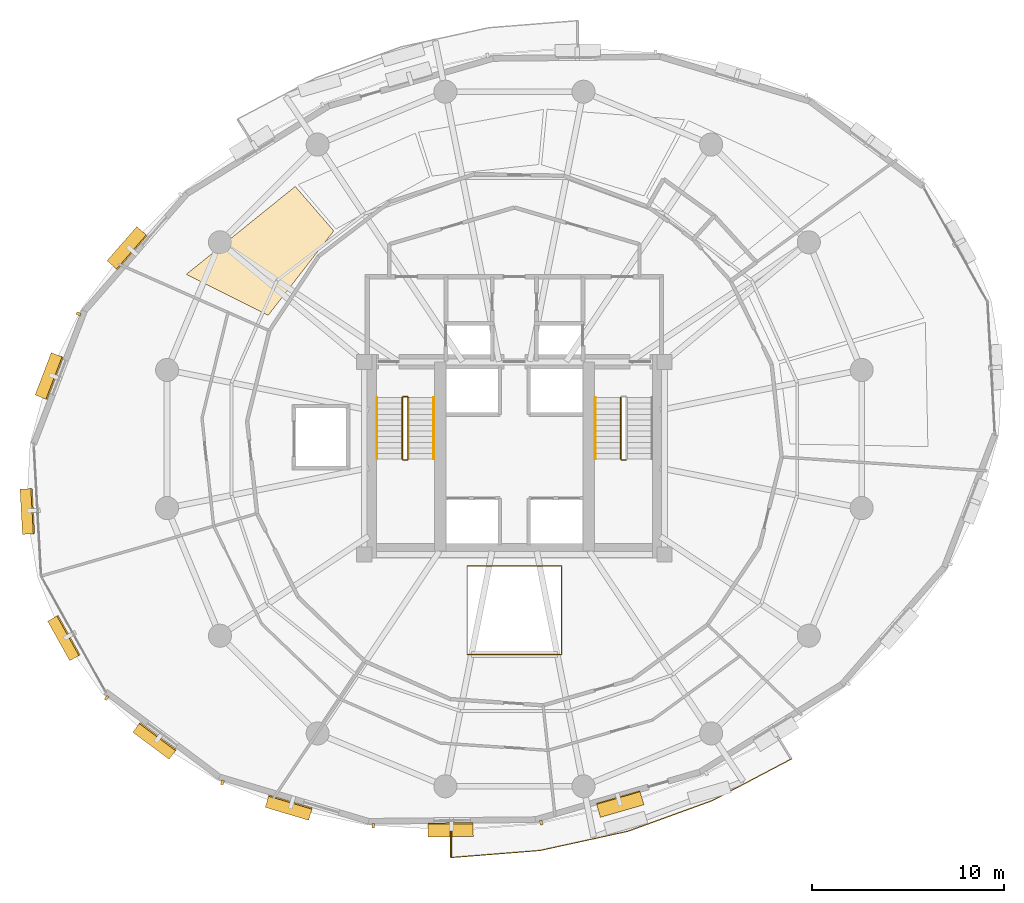
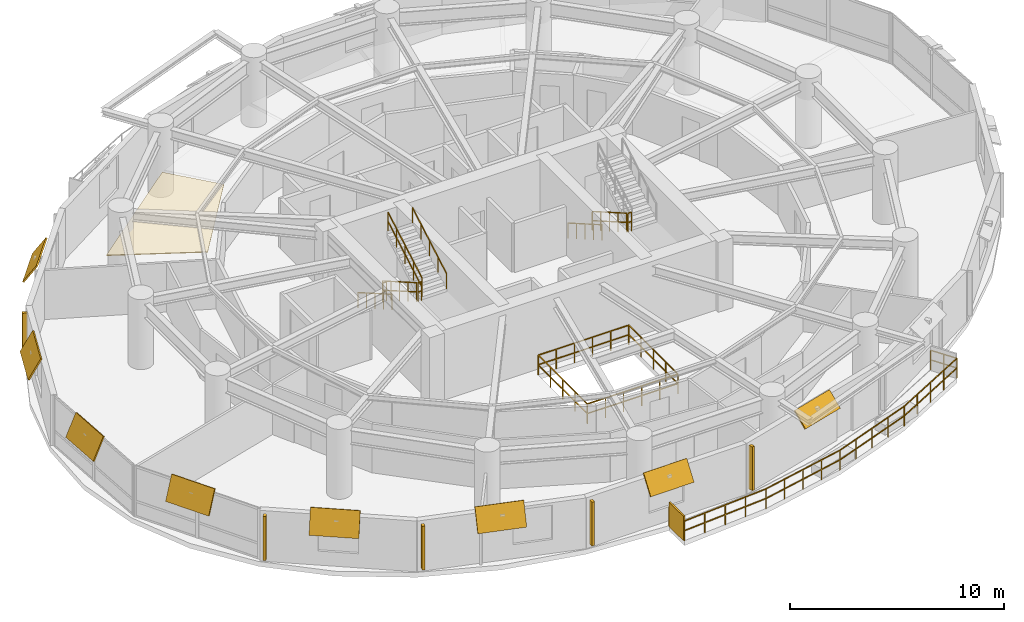
# One storey, part 13 of 15: 14 shading devices, 11 railings, 1 covering.
"""IFC4 building model written with IfcOpenShell, lengths in metres."""

from ifc_helpers import new_model, si_unit, direction, frame, origin, origin_2d, place, context, subcontext, project, spatial, polyline, rectangle, outline, extrude, material, layer, layer_set, type_object, element, save


model = new_model("IFC4")

# Units and contexts
model_context = context("Model", 3, precision=1e-05, world=origin(), true_north=direction((0.0, 1.0)))
body_context = subcontext(model_context, "Body", "Model", "MODEL_VIEW")
ifc_project = project(units=[si_unit("LENGTHUNIT", "METRE"), si_unit("AREAUNIT", "SQUARE_METRE"), si_unit("VOLUMEUNIT", "CUBIC_METRE"), si_unit("PLANEANGLEUNIT", "RADIAN"), si_unit("MASSUNIT", "GRAM", prefix="KILO"), si_unit("THERMODYNAMICTEMPERATUREUNIT", "KELVIN"), si_unit("POWERUNIT", "WATT")], contexts=[model_context])

# Site, building, storey
site_placement = place(None, origin())
site = spatial("IfcSite", under=ifc_project, at=site_placement, CompositionType="ELEMENT")
building_placement = place(site_placement, origin())
building = spatial("IfcBuilding", under=site, at=building_placement, Name="Ocrelia Relay Tower", CompositionType="ELEMENT")
storey_placement = place(building_placement, frame((0.0, 0.0, 101.800048828125)))
storey = spatial("IfcBuildingStorey", under=building, at=storey_placement, Name="L23", CompositionType="ELEMENT", Elevation=101.800048828125)

# Covering
ifc_material_1 = material(Name="Cleanroom metal-pan acoustic ceiling", Category="aluminium")
ifc_layer_1 = layer(ifc_material_1, 0.0400390625, Name="Cleanroom metal-pan acoustic ceiling")
ifc_layer_set_1 = layer_set([ifc_layer_1], Name="Cleanroom metal-pan acoustic ceiling")
covering_type = type_object("IfcCoveringType", Name="COV-CEIL-CLEAN", PredefinedType="CEILING", material=ifc_layer_set_1)
covering_placement = place(storey_placement, frame((0.0, 0.0, 2.719970703125)))
element("IfcCovering", 1, at=covering_placement, inside=storey, type_object=covering_type, Name="L23 Optical Switching Hall A Suspended Ceiling 5", PredefinedType="CEILING", context=body_context, shape_type="SweptSolid", body=[
    extrude(outline(polyline([(24.61474609375, 36.815673828125), (22.611328125, 39.12451171875), (16.94921875, 34.556884765625), (21.201416015625, 32.423095703125), (24.61474609375, 36.815673828125)])), origin(), (0.0, 0.0, 1.0), 0.0400390625),
])

# Railings
ifc_material_2 = material(Name="Steel S355 balustrade", Category="steel")
railing_type_1 = type_object("IfcRailingType", Name="RL-EXT-GUARD-1150", PredefinedType="GUARDRAIL", material=ifc_material_2)
railing_1_placement = place(storey_placement, frame((47.6669921875, 10.55712890625, 0.0)))
element("IfcRailing", 2, at=railing_1_placement, inside=storey, type_object=railing_type_1, Name="L23 Loggia Balcony Guard Rail B2", PredefinedType="GUARDRAIL", context=body_context, shape_type="SweptSolid", body=[
    extrude(rectangle(XDim=0.048095703125, YDim=0.048095703125, at=origin_2d()), frame((0.0, 0.0, 1.1259765625), z_axis=(0.527192759195, -0.849745723527, 0.0), x_axis=(0.849745723527, 0.527192759195, 0.0)), (0.0, 0.0, 1.0), 1.3935546875),
    extrude(rectangle(XDim=0.048095703125, YDim=0.048095703125, at=origin_2d()), frame((0.0, 0.0, 0.574951171875), z_axis=(0.527192759195, -0.849745723527, 0.0), x_axis=(0.849745723527, 0.527192759195, 0.0)), (0.0, 0.0, 1.0), 1.3935546875),
    extrude(rectangle(XDim=0.048095703125, YDim=0.048095703125, at=origin_2d()), frame((0.734619140625, -1.18408203125, 1.1259765625), z_axis=(-0.884826741708, -0.465920204712, 0.0), x_axis=(0.465920204712, -0.884826741708, 0.0)), (0.0, 0.0, 1.0), 2.316162109375),
    extrude(rectangle(XDim=0.048095703125, YDim=0.048095703125, at=origin_2d()), frame((0.734619140625, -1.18408203125, 0.574951171875), z_axis=(-0.884826741708, -0.465920204712, 0.0), x_axis=(0.465920204712, -0.884826741708, 0.0)), (0.0, 0.0, 1.0), 2.316162109375),
    extrude(rectangle(XDim=0.048095703125, YDim=0.048095703125, at=origin_2d()), frame((-1.314697265625, -2.26318359375, 1.1259765625), z_axis=(-0.884847317738, -0.465881126782, 0.0), x_axis=(0.465881126782, -0.884847317738, 0.0)), (0.0, 0.0, 1.0), 2.315673828125),
    extrude(rectangle(XDim=0.048095703125, YDim=0.048095703125, at=origin_2d()), frame((-1.314697265625, -2.26318359375, 0.574951171875), z_axis=(-0.884847317738, -0.465881126782, 0.0), x_axis=(0.465881126782, -0.884847317738, 0.0)), (0.0, 0.0, 1.0), 2.315673828125),
    extrude(rectangle(XDim=0.048095703125, YDim=0.048095703125, at=origin_2d()), frame((-3.36376953125, -3.342041015625, 1.1259765625), z_axis=(-0.939750786978, -0.341860290724, 0.0), x_axis=(0.341860290724, -0.939750786978, 0.0)), (0.0, 0.0, 1.0), 4.681884765625),
    extrude(rectangle(XDim=0.048095703125, YDim=0.048095703125, at=origin_2d()), frame((-3.36376953125, -3.342041015625, 0.574951171875), z_axis=(-0.939750786978, -0.341860290724, 0.0), x_axis=(0.341860290724, -0.939750786978, 0.0)), (0.0, 0.0, 1.0), 4.681884765625),
    extrude(rectangle(XDim=0.048095703125, YDim=0.048095703125, at=origin_2d()), frame((-7.763671875, -4.942626953125, 1.1259765625), z_axis=(-0.977005690395, -0.2132132288, 0.0), x_axis=(0.2132132288, -0.977005690395, 0.0)), (0.0, 0.0, 1.0), 4.68212890625),
    extrude(rectangle(XDim=0.048095703125, YDim=0.048095703125, at=origin_2d()), frame((-7.763671875, -4.942626953125, 0.574951171875), z_axis=(-0.977005690395, -0.2132132288, 0.0), x_axis=(0.2132132288, -0.977005690395, 0.0)), (0.0, 0.0, 1.0), 4.68212890625),
    extrude(rectangle(XDim=0.048095703125, YDim=0.048095703125, at=origin_2d()), frame((-12.338134765625, -5.94091796875, 1.1259765625), z_axis=(-0.996877654387, -0.078961650078, 0.0), x_axis=(0.078961650078, -0.996877654387, 0.0)), (0.0, 0.0, 1.0), 2.31591796875),
    extrude(rectangle(XDim=0.048095703125, YDim=0.048095703125, at=origin_2d()), frame((-12.338134765625, -5.94091796875, 0.574951171875), z_axis=(-0.996877654387, -0.078961650078, 0.0), x_axis=(0.078961650078, -0.996877654387, 0.0)), (0.0, 0.0, 1.0), 2.31591796875),
    extrude(rectangle(XDim=0.048095703125, YDim=0.048095703125, at=origin_2d()), frame((-14.646728515625, -6.123779296875, 1.1259765625), z_axis=(-0.996877654387, -0.078961650078, 0.0), x_axis=(0.078961650078, -0.996877654387, 0.0)), (0.0, 0.0, 1.0), 2.31591796875),
    extrude(rectangle(XDim=0.048095703125, YDim=0.048095703125, at=origin_2d()), frame((-14.646728515625, -6.123779296875, 0.574951171875), z_axis=(-0.996877654387, -0.078961650078, 0.0), x_axis=(0.078961650078, -0.996877654387, 0.0)), (0.0, 0.0, 1.0), 2.31591796875),
    extrude(rectangle(XDim=0.048095703125, YDim=0.048095703125, at=origin_2d()), frame((-16.955322265625, -6.306640625, 1.1259765625), z_axis=(-0.008585630629, 0.999963142794, 0.0), x_axis=(-0.999963142794, -0.008585630629, 0.0)), (0.0, 0.0, 1.0), 1.393310546875),
    extrude(rectangle(XDim=0.048095703125, YDim=0.048095703125, at=origin_2d()), frame((-16.955322265625, -6.306640625, 0.574951171875), z_axis=(-0.008585630629, 0.999963142794, 0.0), x_axis=(-0.999963142794, -0.008585630629, 0.0)), (0.0, 0.0, 1.0), 1.393310546875),
    extrude(rectangle(XDim=0.0419921875, YDim=0.0419921875, at=origin_2d()), origin(), (0.0, 0.0, 1.0), 1.101806640625),
    extrude(rectangle(XDim=0.0419921875, YDim=0.0419921875, at=origin_2d()), frame((0.3671875, -0.592041015625, 0.0)), (0.0, 0.0, 1.0), 1.101806640625),
    extrude(rectangle(XDim=0.0419921875, YDim=0.0419921875, at=origin_2d()), frame((0.734619140625, -1.18408203125, 0.0)), (0.0, 0.0, 1.0), 1.101806640625),
    extrude(rectangle(XDim=0.0419921875, YDim=0.0419921875, at=origin_2d()), frame((-0.2900390625, -1.7236328125, 0.0)), (0.0, 0.0, 1.0), 1.101806640625),
    extrude(rectangle(XDim=0.0419921875, YDim=0.0419921875, at=origin_2d()), frame((-1.314697265625, -2.26318359375, 0.0)), (0.0, 0.0, 1.0), 1.101806640625),
    extrude(rectangle(XDim=0.0419921875, YDim=0.0419921875, at=origin_2d()), frame((-2.33935546875, -2.802734375, 0.0)), (0.0, 0.0, 1.0), 1.101806640625),
    extrude(rectangle(XDim=0.0419921875, YDim=0.0419921875, at=origin_2d()), frame((-3.36376953125, -3.342041015625, 0.0)), (0.0, 0.0, 1.0), 1.101806640625),
    extrude(rectangle(XDim=0.0419921875, YDim=0.0419921875, at=origin_2d()), frame((-4.4638671875, -3.7421875, 0.0)), (0.0, 0.0, 1.0), 1.101806640625),
    extrude(rectangle(XDim=0.0419921875, YDim=0.0419921875, at=origin_2d()), frame((-5.563720703125, -4.142333984375, 0.0)), (0.0, 0.0, 1.0), 1.101806640625),
    extrude(rectangle(XDim=0.0419921875, YDim=0.0419921875, at=origin_2d()), frame((-6.66357421875, -4.54248046875, 0.0)), (0.0, 0.0, 1.0), 1.101806640625),
    extrude(rectangle(XDim=0.0419921875, YDim=0.0419921875, at=origin_2d()), frame((-7.763671875, -4.942626953125, 0.0)), (0.0, 0.0, 1.0), 1.101806640625),
    extrude(rectangle(XDim=0.0419921875, YDim=0.0419921875, at=origin_2d()), frame((-8.9072265625, -5.192138671875, 0.0)), (0.0, 0.0, 1.0), 1.101806640625),
    extrude(rectangle(XDim=0.0419921875, YDim=0.0419921875, at=origin_2d()), frame((-10.05078125, -5.44189453125, 0.0)), (0.0, 0.0, 1.0), 1.101806640625),
    extrude(rectangle(XDim=0.0419921875, YDim=0.0419921875, at=origin_2d()), frame((-11.194580078125, -5.69140625, 0.0)), (0.0, 0.0, 1.0), 1.101806640625),
    extrude(rectangle(XDim=0.0419921875, YDim=0.0419921875, at=origin_2d()), frame((-12.338134765625, -5.94091796875, 0.0)), (0.0, 0.0, 1.0), 1.101806640625),
    extrude(rectangle(XDim=0.0419921875, YDim=0.0419921875, at=origin_2d()), frame((-13.492431640625, -6.0322265625, 0.0)), (0.0, 0.0, 1.0), 1.101806640625),
    extrude(rectangle(XDim=0.0419921875, YDim=0.0419921875, at=origin_2d()), frame((-14.646728515625, -6.123779296875, 0.0)), (0.0, 0.0, 1.0), 1.101806640625),
    extrude(rectangle(XDim=0.0419921875, YDim=0.0419921875, at=origin_2d()), frame((-15.801025390625, -6.21533203125, 0.0)), (0.0, 0.0, 1.0), 1.101806640625),
    extrude(rectangle(XDim=0.0419921875, YDim=0.0419921875, at=origin_2d()), frame((-16.955322265625, -6.306640625, 0.0)), (0.0, 0.0, 1.0), 1.101806640625),
    extrude(rectangle(XDim=0.0419921875, YDim=0.0419921875, at=origin_2d()), frame((-16.96142578125, -5.60986328125, 0.0)), (0.0, 0.0, 1.0), 1.101806640625),
    extrude(rectangle(XDim=0.0419921875, YDim=0.0419921875, at=origin_2d()), frame((-16.96728515625, -4.913330078125, 0.0)), (0.0, 0.0, 1.0), 1.101806640625),
])
ifc_material_3 = material(Name="Steel S355 atrium balustrade", Category="steel")
railing_type_2 = type_object("IfcRailingType", Name="RL-INT-GUARD-115", PredefinedType="GUARDRAIL", material=ifc_material_3)
railing_2_placement = place(storey_placement, frame((31.550048828125, 14.800048828125, 0.0)))
element("IfcRailing", 3, at=railing_2_placement, inside=storey, type_object=railing_type_2, Name="L23 Multi-Zone Interior Atrium Guard", PredefinedType="GUARDRAIL", context=body_context, shape_type="SweptSolid", body=[
    extrude(rectangle(XDim=0.048095703125, YDim=0.048095703125, at=origin_2d()), frame((0.0, 0.0, 1.1259765625), z_axis=(1.0, 0.0, 0.0), x_axis=(0.0, 1.0, 0.0)), (0.0, 0.0, 1.0), 4.89990234375),
    extrude(rectangle(XDim=0.048095703125, YDim=0.048095703125, at=origin_2d()), frame((0.0, 0.0, 0.574951171875), z_axis=(1.0, 0.0, 0.0), x_axis=(0.0, 1.0, 0.0)), (0.0, 0.0, 1.0), 4.89990234375),
    extrude(rectangle(XDim=0.048095703125, YDim=0.048095703125, at=origin_2d()), frame((4.89990234375, 0.0, 1.1259765625), z_axis=(0.0, 1.0, 0.0), x_axis=(-1.0, 0.0, 0.0)), (0.0, 0.0, 1.0), 4.599853515625),
    extrude(rectangle(XDim=0.048095703125, YDim=0.048095703125, at=origin_2d()), frame((4.89990234375, 0.0, 0.574951171875), z_axis=(0.0, 1.0, 0.0), x_axis=(-1.0, 0.0, 0.0)), (0.0, 0.0, 1.0), 4.599853515625),
    extrude(rectangle(XDim=0.048095703125, YDim=0.048095703125, at=origin_2d()), frame((4.89990234375, 4.599853515625, 1.1259765625), z_axis=(-1.0, 0.0, 0.0), x_axis=(0.0, -1.0, 0.0)), (0.0, 0.0, 1.0), 4.89990234375),
    extrude(rectangle(XDim=0.048095703125, YDim=0.048095703125, at=origin_2d()), frame((4.89990234375, 4.599853515625, 0.574951171875), z_axis=(-1.0, 0.0, 0.0), x_axis=(0.0, -1.0, 0.0)), (0.0, 0.0, 1.0), 4.89990234375),
    extrude(rectangle(XDim=0.048095703125, YDim=0.048095703125, at=origin_2d()), frame((0.0, 4.599853515625, 1.1259765625), z_axis=(0.0, -1.0, 0.0), x_axis=(1.0, 0.0, 0.0)), (0.0, 0.0, 1.0), 4.599853515625),
    extrude(rectangle(XDim=0.048095703125, YDim=0.048095703125, at=origin_2d()), frame((0.0, 4.599853515625, 0.574951171875), z_axis=(0.0, -1.0, 0.0), x_axis=(1.0, 0.0, 0.0)), (0.0, 0.0, 1.0), 4.599853515625),
    extrude(rectangle(XDim=0.0419921875, YDim=0.0419921875, at=origin_2d()), origin(), (0.0, 0.0, 1.0), 1.101806640625),
    extrude(rectangle(XDim=0.0419921875, YDim=0.0419921875, at=origin_2d()), frame((0.97998046875, 0.0, 0.0)), (0.0, 0.0, 1.0), 1.101806640625),
    extrude(rectangle(XDim=0.0419921875, YDim=0.0419921875, at=origin_2d()), frame((1.9599609375, 0.0, 0.0)), (0.0, 0.0, 1.0), 1.101806640625),
    extrude(rectangle(XDim=0.0419921875, YDim=0.0419921875, at=origin_2d()), frame((2.93994140625, 0.0, 0.0)), (0.0, 0.0, 1.0), 1.101806640625),
    extrude(rectangle(XDim=0.0419921875, YDim=0.0419921875, at=origin_2d()), frame((3.919921875, 0.0, 0.0)), (0.0, 0.0, 1.0), 1.101806640625),
    extrude(rectangle(XDim=0.0419921875, YDim=0.0419921875, at=origin_2d()), frame((4.89990234375, 0.0, 0.0)), (0.0, 0.0, 1.0), 1.101806640625),
    extrude(rectangle(XDim=0.0419921875, YDim=0.0419921875, at=origin_2d()), frame((4.89990234375, 1.14990234375, 0.0)), (0.0, 0.0, 1.0), 1.101806640625),
    extrude(rectangle(XDim=0.0419921875, YDim=0.0419921875, at=origin_2d()), frame((4.89990234375, 2.2998046875, 0.0)), (0.0, 0.0, 1.0), 1.101806640625),
    extrude(rectangle(XDim=0.0419921875, YDim=0.0419921875, at=origin_2d()), frame((4.89990234375, 3.449951171875, 0.0)), (0.0, 0.0, 1.0), 1.101806640625),
    extrude(rectangle(XDim=0.0419921875, YDim=0.0419921875, at=origin_2d()), frame((4.89990234375, 4.599853515625, 0.0)), (0.0, 0.0, 1.0), 1.101806640625),
    extrude(rectangle(XDim=0.0419921875, YDim=0.0419921875, at=origin_2d()), frame((3.919921875, 4.599853515625, 0.0)), (0.0, 0.0, 1.0), 1.101806640625),
    extrude(rectangle(XDim=0.0419921875, YDim=0.0419921875, at=origin_2d()), frame((2.93994140625, 4.599853515625, 0.0)), (0.0, 0.0, 1.0), 1.101806640625),
    extrude(rectangle(XDim=0.0419921875, YDim=0.0419921875, at=origin_2d()), frame((1.9599609375, 4.599853515625, 0.0)), (0.0, 0.0, 1.0), 1.101806640625),
    extrude(rectangle(XDim=0.0419921875, YDim=0.0419921875, at=origin_2d()), frame((0.97998046875, 4.599853515625, 0.0)), (0.0, 0.0, 1.0), 1.101806640625),
    extrude(rectangle(XDim=0.0419921875, YDim=0.0419921875, at=origin_2d()), frame((0.0, 4.599853515625, 0.0)), (0.0, 0.0, 1.0), 1.101806640625),
    extrude(rectangle(XDim=0.0419921875, YDim=0.0419921875, at=origin_2d()), frame((0.0, 3.449951171875, 0.0)), (0.0, 0.0, 1.0), 1.101806640625),
    extrude(rectangle(XDim=0.0419921875, YDim=0.0419921875, at=origin_2d()), frame((0.0, 2.2998046875, 0.0)), (0.0, 0.0, 1.0), 1.101806640625),
    extrude(rectangle(XDim=0.0419921875, YDim=0.0419921875, at=origin_2d()), frame((0.0, 1.14990234375, 0.0)), (0.0, 0.0, 1.0), 1.101806640625),
])
railing_type_3 = type_object("IfcRailingType", Name="RL-STAIR-GUARD", PredefinedType="GUARDRAIL", material=ifc_material_2)
railing_3_placement = place(storey_placement, frame((28.179931640625, 28.14990234375, 0.16650390625)))
element("IfcRailing", 4, at=railing_3_placement, inside=storey, type_object=railing_type_3, Name="L23 ST1 stair guard 1", PredefinedType="GUARDRAIL", context=body_context, shape_type="SweptSolid", body=[
    extrude(rectangle(XDim=0.048095703125, YDim=0.048095703125, at=origin_2d()), frame((0.0, 0.0, 1.076171875), z_axis=(0.0, -0.86699087805, 0.498324008431), x_axis=(1.0, 0.0, 0.0)), (0.0, 0.0, 1.0), 3.679443359375),
    extrude(rectangle(XDim=0.048095703125, YDim=0.048095703125, at=origin_2d()), frame((0.0, 0.0, 0.550048828125), z_axis=(0.0, -0.86699087805, 0.498324008431), x_axis=(1.0, 0.0, 0.0)), (0.0, 0.0, 1.0), 3.679443359375),
    extrude(rectangle(XDim=0.0419921875, YDim=0.0419921875, at=origin_2d()), origin(), (0.0, 0.0, 1.0), 1.052001953125),
    extrude(rectangle(XDim=0.0419921875, YDim=0.0419921875, at=origin_2d()), frame((0.0, -0.79736328125, 0.45849609375)), (0.0, 0.0, 1.0), 1.052001953125),
    extrude(rectangle(XDim=0.0419921875, YDim=0.0419921875, at=origin_2d()), frame((0.0, -1.594970703125, 0.916748046875)), (0.0, 0.0, 1.0), 1.052001953125),
    extrude(rectangle(XDim=0.0419921875, YDim=0.0419921875, at=origin_2d()), frame((0.0, -2.392578125, 1.375)), (0.0, 0.0, 1.0), 1.052001953125),
    extrude(rectangle(XDim=0.0419921875, YDim=0.0419921875, at=origin_2d()), frame((0.0, -3.18994140625, 1.83349609375)), (0.0, 0.0, 1.0), 1.052001953125),
])
railing_4_placement = place(storey_placement, frame((28.22998046875, 24.909912109375, 2.0)))
element("IfcRailing", 5, at=railing_4_placement, inside=storey, type_object=railing_type_3, Name="L23 ST1 stair guard 2", PredefinedType="GUARDRAIL", context=body_context, shape_type="SweptSolid", body=[
    extrude(rectangle(XDim=0.048095703125, YDim=0.048095703125, at=origin_2d()), frame((0.0, 0.0, 1.076171875), z_axis=(1.0, 0.0, 0.0), x_axis=(0.0, 1.0, 0.0)), (0.0, 0.0, 1.0), 0.199951171875),
    extrude(rectangle(XDim=0.048095703125, YDim=0.048095703125, at=origin_2d()), frame((0.0, 0.0, 0.550048828125), z_axis=(1.0, 0.0, 0.0), x_axis=(0.0, 1.0, 0.0)), (0.0, 0.0, 1.0), 0.199951171875),
    extrude(rectangle(XDim=0.0419921875, YDim=0.0419921875, at=origin_2d()), origin(), (0.0, 0.0, 1.0), 1.052001953125),
    extrude(rectangle(XDim=0.0419921875, YDim=0.0419921875, at=origin_2d()), frame((0.199951171875, 0.0, 0.0)), (0.0, 0.0, 1.0), 1.052001953125),
])
railing_5_placement = place(storey_placement, frame((28.47998046875, 24.9599609375, 2.16650390625)))
element("IfcRailing", 6, at=railing_5_placement, inside=storey, type_object=railing_type_3, Name="L23 ST1 stair guard 3", PredefinedType="GUARDRAIL", context=body_context, shape_type="SweptSolid", body=[
    extrude(rectangle(XDim=0.048095703125, YDim=0.048095703125, at=origin_2d()), frame((0.0, 0.0, 1.076171875), z_axis=(0.0, 0.86699087805, 0.498324008431), x_axis=(-1.0, 0.0, 0.0)), (0.0, 0.0, 1.0), 3.679443359375),
    extrude(rectangle(XDim=0.048095703125, YDim=0.048095703125, at=origin_2d()), frame((0.0, 0.0, 0.550048828125), z_axis=(0.0, 0.86699087805, 0.498324008431), x_axis=(-1.0, 0.0, 0.0)), (0.0, 0.0, 1.0), 3.679443359375),
    extrude(rectangle(XDim=0.0419921875, YDim=0.0419921875, at=origin_2d()), origin(), (0.0, 0.0, 1.0), 1.052001953125),
    extrude(rectangle(XDim=0.0419921875, YDim=0.0419921875, at=origin_2d()), frame((0.0, 0.79736328125, 0.45849609375)), (0.0, 0.0, 1.0), 1.052001953125),
    extrude(rectangle(XDim=0.0419921875, YDim=0.0419921875, at=origin_2d()), frame((0.0, 1.594970703125, 0.916748046875)), (0.0, 0.0, 1.0), 1.052001953125),
    extrude(rectangle(XDim=0.0419921875, YDim=0.0419921875, at=origin_2d()), frame((0.0, 2.392578125, 1.375)), (0.0, 0.0, 1.0), 1.052001953125),
    extrude(rectangle(XDim=0.0419921875, YDim=0.0419921875, at=origin_2d()), frame((0.0, 3.18994140625, 1.83349609375)), (0.0, 0.0, 1.0), 1.052001953125),
])
railing_6_placement = place(storey_placement, frame((28.22998046875, 28.199951171875, 0.0)))
element("IfcRailing", 7, at=railing_6_placement, inside=storey, type_object=railing_type_3, Name="L23 ST1 stair guard 4", PredefinedType="GUARDRAIL", context=body_context, shape_type="SweptSolid", body=[
    extrude(rectangle(XDim=0.048095703125, YDim=0.048095703125, at=origin_2d()), frame((0.0, 0.0, 1.076171875), z_axis=(1.0, 0.0, 0.0), x_axis=(0.0, 1.0, 0.0)), (0.0, 0.0, 1.0), 0.199951171875),
    extrude(rectangle(XDim=0.048095703125, YDim=0.048095703125, at=origin_2d()), frame((0.0, 0.0, 0.550048828125), z_axis=(1.0, 0.0, 0.0), x_axis=(0.0, 1.0, 0.0)), (0.0, 0.0, 1.0), 0.199951171875),
    extrude(rectangle(XDim=0.0419921875, YDim=0.0419921875, at=origin_2d()), origin(), (0.0, 0.0, 1.0), 1.052001953125),
    extrude(rectangle(XDim=0.0419921875, YDim=0.0419921875, at=origin_2d()), frame((0.199951171875, 0.0, 0.0)), (0.0, 0.0, 1.0), 1.052001953125),
])
railing_7_placement = place(storey_placement, frame((39.530029296875, 28.14990234375, 0.16650390625)))
element("IfcRailing", 8, at=railing_7_placement, inside=storey, type_object=railing_type_3, Name="L23 ST2 stair guard 1", PredefinedType="GUARDRAIL", context=body_context, shape_type="SweptSolid", body=[
    extrude(rectangle(XDim=0.048095703125, YDim=0.048095703125, at=origin_2d()), frame((0.0, 0.0, 1.076171875), z_axis=(0.0, -0.86699087805, 0.498324008431), x_axis=(1.0, 0.0, 0.0)), (0.0, 0.0, 1.0), 3.679443359375),
    extrude(rectangle(XDim=0.048095703125, YDim=0.048095703125, at=origin_2d()), frame((0.0, 0.0, 0.550048828125), z_axis=(0.0, -0.86699087805, 0.498324008431), x_axis=(1.0, 0.0, 0.0)), (0.0, 0.0, 1.0), 3.679443359375),
    extrude(rectangle(XDim=0.0419921875, YDim=0.0419921875, at=origin_2d()), origin(), (0.0, 0.0, 1.0), 1.052001953125),
    extrude(rectangle(XDim=0.0419921875, YDim=0.0419921875, at=origin_2d()), frame((0.0, -0.79736328125, 0.45849609375)), (0.0, 0.0, 1.0), 1.052001953125),
    extrude(rectangle(XDim=0.0419921875, YDim=0.0419921875, at=origin_2d()), frame((0.0, -1.594970703125, 0.916748046875)), (0.0, 0.0, 1.0), 1.052001953125),
    extrude(rectangle(XDim=0.0419921875, YDim=0.0419921875, at=origin_2d()), frame((0.0, -2.392578125, 1.375)), (0.0, 0.0, 1.0), 1.052001953125),
    extrude(rectangle(XDim=0.0419921875, YDim=0.0419921875, at=origin_2d()), frame((0.0, -3.18994140625, 1.83349609375)), (0.0, 0.0, 1.0), 1.052001953125),
])
railing_8_placement = place(storey_placement, frame((39.580078125, 24.909912109375, 2.0)))
element("IfcRailing", 9, at=railing_8_placement, inside=storey, type_object=railing_type_3, Name="L23 ST2 stair guard 2", PredefinedType="GUARDRAIL", context=body_context, shape_type="SweptSolid", body=[
    extrude(rectangle(XDim=0.048095703125, YDim=0.048095703125, at=origin_2d()), frame((0.0, 0.0, 1.076171875), z_axis=(1.0, 0.0, 0.0), x_axis=(0.0, 1.0, 0.0)), (0.0, 0.0, 1.0), 0.199951171875),
    extrude(rectangle(XDim=0.048095703125, YDim=0.048095703125, at=origin_2d()), frame((0.0, 0.0, 0.550048828125), z_axis=(1.0, 0.0, 0.0), x_axis=(0.0, 1.0, 0.0)), (0.0, 0.0, 1.0), 0.199951171875),
    extrude(rectangle(XDim=0.0419921875, YDim=0.0419921875, at=origin_2d()), origin(), (0.0, 0.0, 1.0), 1.052001953125),
    extrude(rectangle(XDim=0.0419921875, YDim=0.0419921875, at=origin_2d()), frame((0.199951171875, 0.0, 0.0)), (0.0, 0.0, 1.0), 1.052001953125),
])
ifc_material_4 = material(Name="Steel S355 tubular handrail", Category="steel")
railing_type_4 = type_object("IfcRailingType", Name="RL-STAIR-HAND", PredefinedType="HANDRAIL", material=ifc_material_4)
railing_9_placement = place(storey_placement, frame((26.860107421875, 28.14990234375, 0.16650390625)))
element("IfcRailing", 10, at=railing_9_placement, inside=storey, type_object=railing_type_4, Name="L23 ST1 stair handrail 1", PredefinedType="HANDRAIL", context=body_context, shape_type="SweptSolid", body=[
    extrude(rectangle(XDim=0.048095703125, YDim=0.048095703125, at=origin_2d()), frame((0.0, 0.0, 0.8759765625), z_axis=(0.0, -0.86699087805, 0.498324008431), x_axis=(1.0, 0.0, 0.0)), (0.0, 0.0, 1.0), 3.679443359375),
    extrude(rectangle(XDim=0.0419921875, YDim=0.0419921875, at=origin_2d()), origin(), (0.0, 0.0, 1.0), 0.851806640625),
    extrude(rectangle(XDim=0.0419921875, YDim=0.0419921875, at=origin_2d()), frame((0.0, -0.79736328125, 0.45849609375)), (0.0, 0.0, 1.0), 0.851806640625),
    extrude(rectangle(XDim=0.0419921875, YDim=0.0419921875, at=origin_2d()), frame((0.0, -1.594970703125, 0.916748046875)), (0.0, 0.0, 1.0), 0.851806640625),
    extrude(rectangle(XDim=0.0419921875, YDim=0.0419921875, at=origin_2d()), frame((0.0, -2.392578125, 1.375)), (0.0, 0.0, 1.0), 0.851806640625),
    extrude(rectangle(XDim=0.0419921875, YDim=0.0419921875, at=origin_2d()), frame((0.0, -3.18994140625, 1.83349609375)), (0.0, 0.0, 1.0), 0.851806640625),
])
railing_10_placement = place(storey_placement, frame((29.800048828125, 24.9599609375, 2.16650390625)))
element("IfcRailing", 11, at=railing_10_placement, inside=storey, type_object=railing_type_4, Name="L23 ST1 stair handrail 2", PredefinedType="HANDRAIL", context=body_context, shape_type="SweptSolid", body=[
    extrude(rectangle(XDim=0.048095703125, YDim=0.048095703125, at=origin_2d()), frame((0.0, 0.0, 0.8759765625), z_axis=(0.0, 0.86699087805, 0.498324008431), x_axis=(-1.0, 0.0, 0.0)), (0.0, 0.0, 1.0), 3.679443359375),
    extrude(rectangle(XDim=0.0419921875, YDim=0.0419921875, at=origin_2d()), origin(), (0.0, 0.0, 1.0), 0.851806640625),
    extrude(rectangle(XDim=0.0419921875, YDim=0.0419921875, at=origin_2d()), frame((0.0, 0.79736328125, 0.45849609375)), (0.0, 0.0, 1.0), 0.851806640625),
    extrude(rectangle(XDim=0.0419921875, YDim=0.0419921875, at=origin_2d()), frame((0.0, 1.594970703125, 0.916748046875)), (0.0, 0.0, 1.0), 0.851806640625),
    extrude(rectangle(XDim=0.0419921875, YDim=0.0419921875, at=origin_2d()), frame((0.0, 2.392578125, 1.375)), (0.0, 0.0, 1.0), 0.851806640625),
    extrude(rectangle(XDim=0.0419921875, YDim=0.0419921875, at=origin_2d()), frame((0.0, 3.18994140625, 1.83349609375)), (0.0, 0.0, 1.0), 0.851806640625),
])
railing_11_placement = place(storey_placement, frame((38.2099609375, 28.14990234375, 0.16650390625)))
element("IfcRailing", 12, at=railing_11_placement, inside=storey, type_object=railing_type_4, Name="L23 ST2 stair handrail 1", PredefinedType="HANDRAIL", context=body_context, shape_type="SweptSolid", body=[
    extrude(rectangle(XDim=0.048095703125, YDim=0.048095703125, at=origin_2d()), frame((0.0, 0.0, 0.8759765625), z_axis=(0.0, -0.86699087805, 0.498324008431), x_axis=(1.0, 0.0, 0.0)), (0.0, 0.0, 1.0), 3.679443359375),
    extrude(rectangle(XDim=0.0419921875, YDim=0.0419921875, at=origin_2d()), origin(), (0.0, 0.0, 1.0), 0.851806640625),
    extrude(rectangle(XDim=0.0419921875, YDim=0.0419921875, at=origin_2d()), frame((0.0, -0.79736328125, 0.45849609375)), (0.0, 0.0, 1.0), 0.851806640625),
    extrude(rectangle(XDim=0.0419921875, YDim=0.0419921875, at=origin_2d()), frame((0.0, -1.594970703125, 0.916748046875)), (0.0, 0.0, 1.0), 0.851806640625),
    extrude(rectangle(XDim=0.0419921875, YDim=0.0419921875, at=origin_2d()), frame((0.0, -2.392578125, 1.375)), (0.0, 0.0, 1.0), 0.851806640625),
    extrude(rectangle(XDim=0.0419921875, YDim=0.0419921875, at=origin_2d()), frame((0.0, -3.18994140625, 1.83349609375)), (0.0, 0.0, 1.0), 0.851806640625),
])

# Shading devices
ifc_material_5 = material(Name="Perforated oxide terracotta solar screen", Category="masonry")
ifc_layer_2 = layer(ifc_material_5, 0.090087890625, Name="Perforated oxide terracotta solar screen")
ifc_layer_set_2 = layer_set([ifc_layer_2], Name="Perforated oxide terracotta solar screen")
shading_device_type_1 = type_object("IfcShadingDeviceType", Name="SH-BALC-SCREEN", PredefinedType="USERDEFINED", material=ifc_layer_set_2)
shading_device_1_placement = place(storey_placement, frame((30.705810546875, 4.947021484375, 0.0), z_axis=(0.0, 0.0, 1.0), x_axis=(0.00861170879, -0.999962918548, 0.0)))
element("IfcShadingDevice", 13, at=shading_device_1_placement, inside=storey, type_object=shading_device_type_1, Name="L23 Balcony Perforated Terracotta Screen B2-1", ObjectType="SCREEN", PredefinedType="USERDEFINED", context=body_context, shape_type="SweptSolid", body=[
    extrude(rectangle(XDim=1.340087890625, YDim=0.090087890625, at=origin_2d()), origin(), (0.0, 0.0, 1.0), 1.39990234375),
])
ifc_material_6 = material(Name="Extruded oxide terracotta vertical baguette", Category="masonry")
shading_device_type_2 = type_object("IfcShadingDeviceType", Name="SH-TERR-BAGUETTE", PredefinedType="USERDEFINED", material=ifc_material_6)
for number, where, z_axis, x_axis, name in (
    (14, (11.3583984375, 32.50439453125, 0.199951171875), (0.0, 0.0, 1.0), (-0.356237500626, -0.934395442598, 0.0), "L23 Oxide Terracotta Vertical Baguette 08"),
    (15, (12.81201171875, 12.541748046875, 0.199951171875), (0.0, 0.0, 1.0), (0.800414257869, -0.599447258564, 0.0), "L23 Oxide Terracotta Vertical Baguette 11"),
    (16, (18.831787109375, 8.15478515625, 0.199951171875), (0.0, 0.0, 1.0), (0.958479977376, -0.285159837581, 0.0), "L23 Oxide Terracotta Vertical Baguette 12"),
    (17, (26.668701171875, 5.90771484375, 0.199951171875), (0.0, 0.0, 1.0), (0.999948989877, 0.010100378382, 0.0), "L23 Oxide Terracotta Vertical Baguette 13"),
    (18, (35.3935546875, 6.06884765625, 0.199951171875), (0.0, 0.0, 1.0), (0.960536510683, 0.27815393516, 0.0), "L23 Oxide Terracotta Vertical Baguette 14"),
):
    element("IfcShadingDevice", number, at=place(storey_placement, frame(where, z_axis=z_axis, x_axis=x_axis)), inside=storey, type_object=shading_device_type_2, Name=name, ObjectType="BAGUETTE", PredefinedType="USERDEFINED", context=body_context, shape_type="SweptSolid", body=[
        extrude(rectangle(XDim=0.139892578125, YDim=0.239990234375, at=origin_2d()), origin(), (0.0, 0.0, 1.0), 2.5),
    ])
ifc_material_7 = material(Name="Extruded oxide terracotta fin", Category="masonry")
ifc_layer_3 = layer(ifc_material_7, 0.080078125, Name="Extruded oxide terracotta fin")
ifc_layer_set_3 = layer_set([ifc_layer_3], Name="Extruded oxide terracotta fin")
shading_device_type_3 = type_object("IfcShadingDeviceType", Name="SH-VISOR-FIN-DEEP", PredefinedType="USERDEFINED", material=ifc_layer_set_3)
shading_device_2_placement = place(storey_placement, frame((13.901611328125, 35.892333984375, 2.71826171875), z_axis=(-0.63189947695, 0.551860120189, 0.544199833495), x_axis=(-0.657794171165, -0.753197735247, 0.0)))
element("IfcShadingDevice", 19, at=shading_device_2_placement, inside=storey, type_object=shading_device_type_3, Name="L23 Canted Terracotta Sun-Visor Fin 07", ObjectType="FIN", PredefinedType="USERDEFINED", context=body_context, shape_type="SweptSolid", body=[
    extrude(rectangle(XDim=2.35009765625, YDim=1.199951171875, at=origin_2d()), origin(), (0.0, 0.0, 1.0), 0.080078125),
])
shading_device_3_placement = place(storey_placement, frame((9.861083984375, 29.254150390625, 2.721435546875), z_axis=(-0.82654843185, 0.315120915712, 0.46638664034), x_axis=(-0.356237500626, -0.934395442598, 0.0)))
element("IfcShadingDevice", 20, at=shading_device_3_placement, inside=storey, type_object=shading_device_type_3, Name="L23 Canted Terracotta Sun-Visor Fin 08", ObjectType="FIN", PredefinedType="USERDEFINED", context=body_context, shape_type="SweptSolid", body=[
    extrude(rectangle(XDim=2.35009765625, YDim=1.287109375, at=origin_2d()), origin(), (0.0, 0.0, 1.0), 0.080078125),
])
shading_device_4_placement = place(storey_placement, frame((8.72802734375, 22.237060546875, 2.72314453125), z_axis=(-0.904985175116, -0.050292326037, 0.422460074755), x_axis=(0.055486927026, -0.998459413762, 0.0)))
element("IfcShadingDevice", 21, at=shading_device_4_placement, inside=storey, type_object=shading_device_type_3, Name="L23 Canted Terracotta Sun-Visor Fin 09", ObjectType="FIN", PredefinedType="USERDEFINED", context=body_context, shape_type="SweptSolid", body=[
    extrude(rectangle(XDim=2.35009765625, YDim=1.3330078125, at=origin_2d()), origin(), (0.0, 0.0, 1.0), 0.080078125),
])
shading_device_5_placement = place(storey_placement, frame((10.623779296875, 15.6748046875, 2.7236328125), z_axis=(-0.798083900126, -0.444553024441, 0.406736643076), x_axis=(0.486623868273, -0.873611590369, 0.0)))
element("IfcShadingDevice", 22, at=shading_device_5_placement, inside=storey, type_object=shading_device_type_3, Name="L23 Canted Terracotta Sun-Visor Fin 10", ObjectType="FIN", PredefinedType="USERDEFINED", context=body_context, shape_type="SweptSolid", body=[
    extrude(rectangle(XDim=2.35009765625, YDim=1.35009765625, at=origin_2d()), origin(), (0.0, 0.0, 1.0), 0.080078125),
])
shading_device_6_placement = place(storey_placement, frame((15.3251953125, 10.342529296875, 2.72314453125), z_axis=(-0.544076918833, -0.726480798753, 0.419768931003), x_axis=(0.800414257869, -0.599447258564, 0.0)))
element("IfcShadingDevice", 23, at=shading_device_6_placement, inside=storey, type_object=shading_device_type_3, Name="L23 Canted Terracotta Sun-Visor Fin 11", ObjectType="FIN", PredefinedType="USERDEFINED", context=body_context, shape_type="SweptSolid", body=[
    extrude(rectangle(XDim=2.35009765625, YDim=1.3359375, at=origin_2d()), origin(), (0.0, 0.0, 1.0), 0.080078125),
])
shading_device_7_placement = place(storey_placement, frame((22.285888671875, 6.880615234375, 2.72119140625), z_axis=(-0.251804553834, -0.846366112105, 0.46931745221), x_axis=(0.958479977376, -0.285159837581, 0.0)))
element("IfcShadingDevice", 24, at=shading_device_7_placement, inside=storey, type_object=shading_device_type_3, Name="L23 Canted Terracotta Sun-Visor Fin 12", ObjectType="FIN", PredefinedType="USERDEFINED", context=body_context, shape_type="SweptSolid", body=[
    extrude(rectangle(XDim=2.35009765625, YDim=1.282958984375, at=origin_2d()), origin(), (0.0, 0.0, 1.0), 0.080078125),
])
shading_device_8_placement = place(storey_placement, frame((30.68359375, 5.7294921875, 2.71728515625), z_axis=(0.00832598281, -0.824281802623, 0.566118528114), x_axis=(0.999948989877, 0.010100378382, 0.0)))
element("IfcShadingDevice", 25, at=shading_device_8_placement, inside=storey, type_object=shading_device_type_3, Name="L23 Canted Terracotta Sun-Visor Fin 13", ObjectType="FIN", PredefinedType="USERDEFINED", context=body_context, shape_type="SweptSolid", body=[
    extrude(rectangle(XDim=2.35009765625, YDim=1.175048828125, at=origin_2d()), origin(), (0.0, 0.0, 1.0), 0.080078125),
])
ifc_layer_4 = layer(ifc_material_7, 0.080078125, Name="Extruded oxide terracotta fin")
ifc_layer_set_4 = layer_set([ifc_layer_4], Name="Extruded oxide terracotta fin")
shading_device_type_4 = type_object("IfcShadingDeviceType", Name="SH-VISOR-FIN-MED", PredefinedType="USERDEFINED", material=ifc_layer_set_4)
shading_device_9_placement = place(storey_placement, frame((39.484130859375, 7.061279296875, 2.7119140625), z_axis=(0.199038841232, -0.68733190468, 0.698540186739), x_axis=(0.960536510683, 0.27815393516, 0.0)))
element("IfcShadingDevice", 26, at=shading_device_9_placement, inside=storey, type_object=shading_device_type_4, Name="L23 Canted Terracotta Sun-Visor Fin 14", ObjectType="FIN", PredefinedType="USERDEFINED", context=body_context, shape_type="SweptSolid", body=[
    extrude(rectangle(XDim=2.35009765625, YDim=1.011962890625, at=origin_2d()), origin(), (0.0, 0.0, 1.0), 0.080078125),
])

save(model, "model.ifc")
